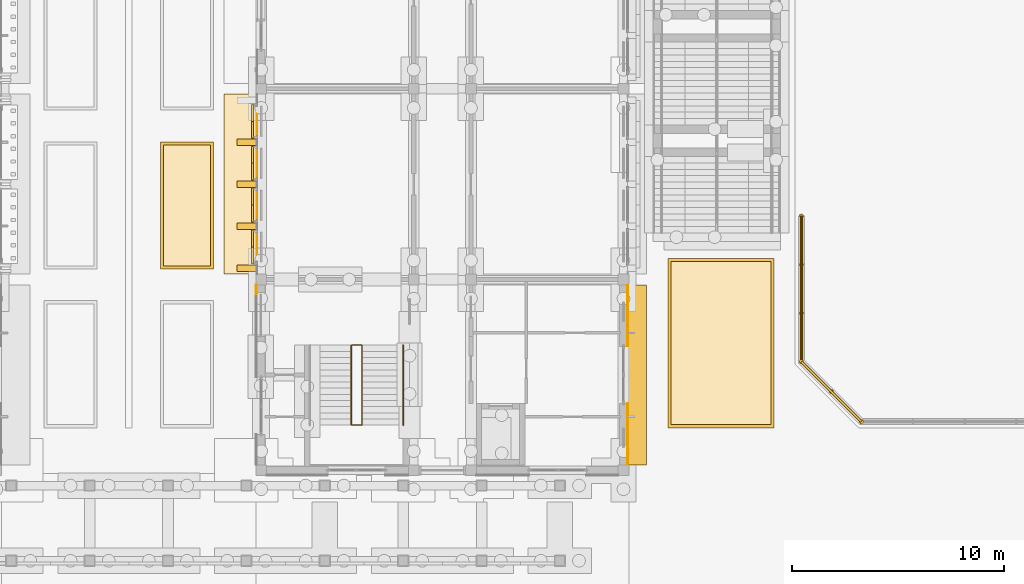
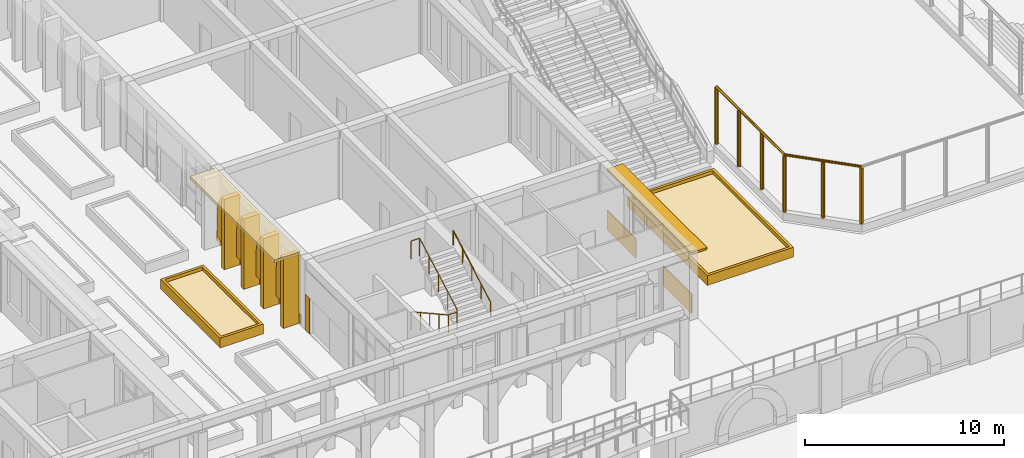
# One storey, part 127 of 161: 13 coverings, 5 shading devices, 4 railings.
"""IFC4 building model written with IfcOpenShell, lengths in metres."""

from ifc_helpers import new_model, si_unit, direction, frame, origin, origin_2d, place, context, subcontext, project, spatial, polyline, rectangle, circle, outline, extrude, material, layer, layer_set, type_object, element, save


model = new_model("IFC4")

# Units and contexts
model_context = context("Model", 3, precision=1e-05, world=origin(), true_north=direction((0.0, 1.0)))
body_context = subcontext(model_context, "Body", "Model", "MODEL_VIEW")
ifc_project = project(units=[si_unit("LENGTHUNIT", "METRE"), si_unit("AREAUNIT", "SQUARE_METRE"), si_unit("VOLUMEUNIT", "CUBIC_METRE"), si_unit("PLANEANGLEUNIT", "RADIAN"), si_unit("MASSUNIT", "GRAM", prefix="KILO")], contexts=[model_context])

# Site, building, storey
site_placement = place(None, origin())
site = spatial("IfcSite", under=ifc_project, at=site_placement, CompositionType="ELEMENT")
building_placement = place(site_placement, origin())
building = spatial("IfcBuilding", under=site, at=building_placement, Name="Elbe Cascade School", CompositionType="ELEMENT")
storey_placement = place(building_placement, origin())
storey = spatial("IfcBuildingStorey", under=building, at=storey_placement, Name="L00", CompositionType="ELEMENT", Elevation=0.0)

# Railings
ifc_material_1 = material(Name="Steel S355J2H", Category="steel")
railing_type_1 = type_object("IfcRailingType", Name="Ball-stop fence 4000", PredefinedType="USERDEFINED", material=ifc_material_1)
railing_1_placement = place(storey_placement, frame((183.300048828125, 18.0, 0.449951171875)))
element("IfcRailing", 1, at=railing_1_placement, inside=storey, type_object=railing_type_1, Name="Ball-stop fence west 2", ObjectType="BALL-STOP FENCE", PredefinedType="USERDEFINED", context=body_context, shape_type="SweptSolid", body=[
    extrude(circle(Radius=0.06982421875, at=origin_2d()), frame((0.0, 0.0, 3.47998046875), z_axis=(0.0, -1.0, 0.0), x_axis=(1.0, 0.0, 0.0)), (0.0, 0.0, 1.0), 6.875732421875),
    extrude(circle(Radius=0.10009765625, at=origin_2d()), origin(), (0.0, 0.0, 1.0), 3.41015625),
    extrude(circle(Radius=0.10009765625, at=origin_2d()), frame((0.0, -2.2919921875, 0.0)), (0.0, 0.0, 1.0), 3.41015625),
    extrude(circle(Radius=0.10009765625, at=origin_2d()), frame((0.0, -4.583740234375, 0.0)), (0.0, 0.0, 1.0), 3.41015625),
    extrude(circle(Radius=0.10009765625, at=origin_2d()), frame((0.0, -6.875732421875, 0.0)), (0.0, 0.0, 1.0), 3.41015625),
])
railing_2_placement = place(storey_placement, frame((183.300048828125, 11.124267578125, 0.449951171875)))
element("IfcRailing", 2, at=railing_2_placement, inside=storey, type_object=railing_type_1, Name="Ball-stop fence south west", ObjectType="BALL-STOP FENCE", PredefinedType="USERDEFINED", context=body_context, shape_type="SweptSolid", body=[
    extrude(circle(Radius=0.06982421875, at=origin_2d()), frame((0.0, 0.0, 3.47998046875), z_axis=(0.707106781187, -0.707106781187, 0.0), x_axis=(0.707106781187, 0.707106781187, 0.0)), (0.0, 0.0, 1.0), 3.994140625),
    extrude(circle(Radius=0.10009765625, at=origin_2d()), origin(), (0.0, 0.0, 1.0), 3.41015625),
    extrude(circle(Radius=0.10009765625, at=origin_2d()), frame((1.412109375, -1.412109375, 0.0)), (0.0, 0.0, 1.0), 3.41015625),
    extrude(circle(Radius=0.10009765625, at=origin_2d()), frame((2.82421875, -2.82421875, 0.0)), (0.0, 0.0, 1.0), 3.41015625),
])
ifc_material_2 = material(Name="Steel S355J2H, painted", Category="steel")
railing_type_2 = type_object("IfcRailingType", Name="Bar stair guard 1100", PredefinedType="GUARDRAIL", material=ifc_material_2)
railing_3_placement = place(storey_placement, frame((162.050048828125, 11.89990234375, 0.16064453125)))
element("IfcRailing", 3, at=railing_3_placement, inside=storey, type_object=railing_type_2, Name="Stair guard D0.S", PredefinedType="GUARDRAIL", context=body_context, shape_type="SweptSolid", body=[
    extrude(circle(Radius=0.02392578125, at=origin_2d()), frame((0.0, 0.0, 1.09619140625), z_axis=(0.0, -0.874659101714, 0.484738543742), x_axis=(1.0, 0.0, 0.0)), (0.0, 0.0, 1.0), 4.310302734375),
    extrude(circle(Radius=0.02392578125, at=origin_2d()), frame((0.0, -3.77001953125, 3.185546875), z_axis=(1.0, 0.0, 0.0), x_axis=(0.0, 1.0, 0.0)), (0.0, 0.0, 1.0), 0.5),
    extrude(circle(Radius=0.02392578125, at=origin_2d()), frame((0.5, -3.77001953125, 3.185546875), z_axis=(0.0, 0.0, 1.0), x_axis=(1.0, 0.0, 0.0)), (0.0, 0.0, 1.0), 0.16064453125),
    extrude(circle(Radius=0.02392578125, at=origin_2d()), frame((0.5, -3.77001953125, 3.34619140625), z_axis=(0.0, 0.874659101714, 0.484738543742), x_axis=(-1.0, 0.0, 0.0)), (0.0, 0.0, 1.0), 4.310302734375),
    extrude(circle(Radius=0.02392578125, at=origin_2d()), frame((0.5, 0.0, 5.435546875), z_axis=(-1.0, 0.0, 0.0), x_axis=(0.0, -1.0, 0.0)), (0.0, 0.0, 1.0), 0.5),
    extrude(circle(Radius=0.02099609375, at=origin_2d()), origin(), (0.0, 0.0, 1.0), 1.072021484375),
    extrude(circle(Radius=0.02099609375, at=origin_2d()), frame((0.0, -0.9423828125, 0.5224609375)), (0.0, 0.0, 1.0), 1.072021484375),
    extrude(circle(Radius=0.02099609375, at=origin_2d()), frame((0.0, -1.885009765625, 1.044677734375)), (0.0, 0.0, 1.0), 1.072021484375),
    extrude(circle(Radius=0.02099609375, at=origin_2d()), frame((0.0, -2.82763671875, 1.56689453125)), (0.0, 0.0, 1.0), 1.072021484375),
    extrude(circle(Radius=0.02099609375, at=origin_2d()), frame((0.0, -3.77001953125, 2.08935546875)), (0.0, 0.0, 1.0), 1.072021484375),
    extrude(circle(Radius=0.02099609375, at=origin_2d()), frame((0.5, -3.77001953125, 2.08935546875)), (0.0, 0.0, 1.0), 1.072021484375),
    extrude(circle(Radius=0.02099609375, at=origin_2d()), frame((0.5, -3.77001953125, 2.25)), (0.0, 0.0, 1.0), 1.072021484375),
    extrude(circle(Radius=0.02099609375, at=origin_2d()), frame((0.5, -2.82763671875, 2.7724609375)), (0.0, 0.0, 1.0), 1.072021484375),
    extrude(circle(Radius=0.02099609375, at=origin_2d()), frame((0.5, -1.885009765625, 3.294677734375)), (0.0, 0.0, 1.0), 1.072021484375),
    extrude(circle(Radius=0.02099609375, at=origin_2d()), frame((0.5, -0.9423828125, 3.81689453125)), (0.0, 0.0, 1.0), 1.072021484375),
    extrude(circle(Radius=0.02099609375, at=origin_2d()), frame((0.5, 0.0, 4.33935546875)), (0.0, 0.0, 1.0), 1.072021484375),
    extrude(circle(Radius=0.02099609375, at=origin_2d()), frame((0.0, 0.0, 4.33935546875)), (0.0, 0.0, 1.0), 1.072021484375),
])
ifc_material_3 = material(Name="Steel S355J2H, painted", Category="steel")
railing_type_3 = type_object("IfcRailingType", Name="Bar stair handrail 900", PredefinedType="HANDRAIL", material=ifc_material_3)
railing_4_placement = place(storey_placement, frame((164.5, 8.1298828125, 2.41064453125)))
element("IfcRailing", 4, at=railing_4_placement, inside=storey, type_object=railing_type_3, Name="Stair handrail D0.S", PredefinedType="HANDRAIL", context=body_context, shape_type="SweptSolid", body=[
    extrude(circle(Radius=0.02392578125, at=origin_2d()), frame((0.0, 0.0, 0.8759765625), z_axis=(0.0, 0.874659101714, 0.484738543742), x_axis=(-1.0, 0.0, 0.0)), (0.0, 0.0, 1.0), 4.310302734375),
    extrude(circle(Radius=0.02099609375, at=origin_2d()), origin(), (0.0, 0.0, 1.0), 0.851806640625),
    extrude(circle(Radius=0.02099609375, at=origin_2d()), frame((0.0, 0.9423828125, 0.5224609375)), (0.0, 0.0, 1.0), 0.851806640625),
    extrude(circle(Radius=0.02099609375, at=origin_2d()), frame((0.0, 1.885009765625, 1.044677734375)), (0.0, 0.0, 1.0), 0.851806640625),
    extrude(circle(Radius=0.02099609375, at=origin_2d()), frame((0.0, 2.82763671875, 1.56689453125)), (0.0, 0.0, 1.0), 0.851806640625),
    extrude(circle(Radius=0.02099609375, at=origin_2d()), frame((0.0, 3.77001953125, 2.08935546875)), (0.0, 0.0, 1.0), 0.851806640625),
])

# Shading devices
ifc_material_4 = material(Name="Precast concrete C30/37", Category="concrete")
ifc_layer_1 = layer(ifc_material_4, 0.1201171875)
ifc_layer_set_1 = layer_set([ifc_layer_1], Name="Precast concrete C30/37")
shading_device_type_1 = type_object("IfcShadingDeviceType", Name="Bars envelope Chhajja eave, precast concrete, 900 x 120", PredefinedType="USERDEFINED", material=ifc_layer_set_1)
shading_device_1_placement = place(storey_placement, frame((175.530029296875, 10.5, 3.6298828125), z_axis=(0.0, 0.0, 1.0), x_axis=(0.0, 1.0, 0.0)))
element("IfcShadingDevice", 5, at=shading_device_1_placement, inside=storey, type_object=shading_device_type_1, Name="Chhajja eave SD2 D.L00.e1", ObjectType="CHHAJJA", PredefinedType="USERDEFINED", context=body_context, shape_type="SweptSolid", body=[
    extrude(rectangle(XDim=8.5, YDim=0.89990234375, at=origin_2d()), origin(), (0.0, 0.0, 1.0), 0.1201171875),
])
ifc_material_5 = material(Name="Precast concrete C40/50", Category="concrete")
ifc_layer_2 = layer(ifc_material_5, 0.10009765625)
ifc_layer_set_2 = layer_set([ifc_layer_2], Name="Precast concrete C40/50")
shading_device_type_2 = type_object("IfcShadingDeviceType", Name="Bars envelope Jali screen 1600 x 2840, pointed arch rise 1200, pierced precast concrete", PredefinedType="USERDEFINED", material=ifc_layer_set_2)
shading_device_2_placement = place(storey_placement, frame((157.340087890625, 15.72998046875, 2.239990234375), z_axis=(-1.0, 0.0, 0.0), x_axis=(0.0, 0.196300278283, 0.98054382908)))
element("IfcShadingDevice", 6, at=shading_device_2_placement, inside=storey, type_object=shading_device_type_2, Name="Jali screen SD3 D.L00.w2.1", ObjectType="JALI", PredefinedType="USERDEFINED", context=body_context, shape_type="SweptSolid", body=[
    extrude(outline(polyline([(0.0, 0.0), (0.509921112317134, 0.0), (0.7186409460062186, 0.06005009918221829), (0.8735458233318658, 0.1311226852889124), (0.9982395622926888, 0.20799441476340969), (1.102872417131342, 0.2891312241218946), (1.1919448840573539, 0.37338315020117196), (1.268281725197354, 0.45993570394643946), (1.3336545243794973, 0.5489321924158467), (1.3075321958793382, 0.6559965916457164), (1.270445825421322, 0.7655049255997259), (1.220671754049922, 0.877553277802997), (1.155289369893253, 0.9924773561437888), (1.069846101614414, 1.1116665143685687), (0.9541916949707512, 1.2366548159611515), (0.7847223319636507, 1.37266560447821), (0.31409961520112845, 1.5689658827607584), (-1.2938869326328684, 1.8908772522001815), (-1.6079865478339967, 0.32191136943942317), (0.0, 0.0)])), origin(), (0.0, 0.0, -1.0), 0.10009765625),
])
for number, where, z_axis, x_axis, name in (
    (7, (157.340087890625, 17.7099609375, 2.239990234375), (-1.0, 0.0, 0.0), (0.0, 0.196300278283, 0.98054382908), "Jali screen SD3 D.L00.w2.2"),
    (8, (157.340087890625, 19.68994140625, 2.239990234375), (-1.0, 0.0, 0.0), (0.0, 0.196300278283, 0.98054382908), "Jali screen SD3 D.L00.w2.3"),
):
    element("IfcShadingDevice", number, at=place(storey_placement, frame(where, z_axis=z_axis, x_axis=x_axis)), inside=storey, type_object=shading_device_type_2, Name=name, ObjectType="JALI", PredefinedType="USERDEFINED", context=body_context, shape_type="SweptSolid", body=[
        extrude(outline(polyline([(0.0, 0.0), (0.509921112317134, 0.0), (0.7186409460062186, 0.06005009918221829), (0.8735458233318658, 0.1311226852889124), (0.9982874871653163, 0.20823380534668107), (1.102872417131342, 0.2891312241218946), (1.1919448840573539, 0.37338315020117196), (1.268281725197354, 0.45993570394643946), (1.3336545243794973, 0.5489321924158467), (1.3075801207519657, 0.6562359822289878), (1.270445825421322, 0.7655049255997259), (1.220671754049922, 0.877553277802997), (1.155289369893253, 0.9924773561437888), (1.069846101614414, 1.1116665143685687), (0.9542396198433787, 1.2368942065444228), (0.7847223319636507, 1.37266560447821), (0.31409961520112845, 1.5689658827607584), (-1.2938869326328684, 1.8908772522001815), (-1.6079865478339967, 0.32191136943942317), (0.0, 0.0)])), origin(), (0.0, 0.0, -1.0), 0.10009765625),
    ])
shading_device_3_placement = place(storey_placement, frame((157.340087890625, 21.669921875, 2.239990234375), z_axis=(-1.0, 0.0, 0.0), x_axis=(0.0, 0.196300278283, 0.98054382908)))
element("IfcShadingDevice", 9, at=shading_device_3_placement, inside=storey, type_object=shading_device_type_2, Name="Jali screen SD3 D.L00.w2.4", ObjectType="JALI", PredefinedType="USERDEFINED", context=body_context, shape_type="SweptSolid", body=[
    extrude(outline(polyline([(0.0, 0.0), (0.509921112317134, 0.0), (0.7186888708788461, 0.0602894897654897), (0.8735458233318658, 0.1311226852889124), (0.9982874871653163, 0.20823380534668107), (1.102872417131342, 0.2891312241218946), (1.1919448840573539, 0.37338315020117196), (1.2683296500699814, 0.46017509452971084), (1.3336545243794973, 0.5489321924158467), (1.3075801207519657, 0.6562359822289878), (1.270445825421322, 0.7655049255997259), (1.220671754049922, 0.877553277802997), (1.1553372947658807, 0.9927167467270602), (1.069846101614414, 1.1116665143685687), (0.9542396198433787, 1.2368942065444228), (0.7847223319636507, 1.37266560447821), (0.31409961520112845, 1.5689658827607584), (-1.2938869326328684, 1.8908772522001815), (-1.6079865478339967, 0.32191136943942317), (0.0, 0.0)])), origin(), (0.0, 0.0, -1.0), 0.10009765625),
])

# Coverings
ifc_material_6 = material(Name="Sandstone - red", Category="masonry")
ifc_layer_3 = layer(ifc_material_6, 0.0400390625)
ifc_layer_set_3 = layer_set([ifc_layer_3], Name="Sandstone - red")
covering_type_1 = type_object("IfcCoveringType", Name="Bars envelope Sandstone cladding, red, 40 mm", PredefinedType="CLADDING", material=ifc_layer_set_3)
covering_1_placement = place(storey_placement, frame((157.56005859375, 14.52490234375, 0.0), z_axis=(0.0, 0.0, 1.0), x_axis=(0.0, 1.0, 0.0)))
element("IfcCovering", 10, at=covering_1_placement, inside=storey, type_object=covering_type_1, Name="Sandstone cladding CV48 D.L00.w.1b.2", PredefinedType="CLADDING", context=body_context, shape_type="SweptSolid", body=[
    extrude(rectangle(XDim=0.449951171875, YDim=0.0400390625, at=origin_2d()), origin(), (0.0, 0.0, 1.0), 2.199951171875),
])
covering_2_placement = place(storey_placement, frame((157.60009765625, 19.5, 0.0), z_axis=(0.0, 0.0, 1.0), x_axis=(0.0, 1.0, 0.0)))
element("IfcCovering", 11, at=covering_2_placement, inside=storey, type_object=covering_type_1, Name="Sandstone cladding CV48 D.L00.w.2.1", PredefinedType="CLADDING", context=body_context, shape_type="SweptSolid", body=[
    extrude(rectangle(XDim=8.5, YDim=0.0400390625, at=origin_2d()), origin(), (0.0, 0.0, 1.0), 0.60009765625),
])
for number, where, z_axis, x_axis, name in (
    (12, (175.10009765625, 7.699951171875, 0.0), (0.0, 0.0, 1.0), (0.0, 1.0, 0.0), "Sandstone cladding CV48 D.L00.e.1a.1"),
    (13, (175.10009765625, 13.300048828125, 0.0), (0.0, 0.0, 1.0), (0.0, 1.0, 0.0), "Sandstone cladding CV48 D.L00.e.1b.1"),
):
    element("IfcCovering", number, at=place(storey_placement, frame(where, z_axis=z_axis, x_axis=x_axis)), inside=storey, type_object=covering_type_1, Name=name, PredefinedType="CLADDING", context=body_context, shape_type="SweptSolid", body=[
        extrude(rectangle(XDim=2.89990234375, YDim=0.0400390625, at=origin_2d()), origin(), (0.0, 0.0, 1.0), 1.199951171875),
    ])
ifc_material_7 = material(Name="Sandstone - red", Category="masonry")
covering_type_2 = type_object("IfcCoveringType", Name="Bars envelope Sandstone gallery canopy, 1500 deep", PredefinedType="CLADDING", material=ifc_material_7)
covering_3_placement = place(storey_placement, frame((156.800048828125, 19.5, 4.31982421875), z_axis=(0.0, 0.0, 1.0), x_axis=(0.0, 1.0, 0.0)))
element("IfcCovering", 14, at=covering_3_placement, inside=storey, type_object=covering_type_2, Name="Gallery canopy CV73 D.w1", PredefinedType="CLADDING", context=body_context, shape_type="SweptSolid", body=[
    extrude(rectangle(XDim=8.5, YDim=1.5, at=origin_2d()), origin(), (0.0, 0.0, 1.0), 0.179931640625),
])
ifc_material_8 = material(Name="Sandstone - red", Category="masonry")
covering_type_3 = type_object("IfcCoveringType", Name="Bars envelope Sandstone gallery fin, 300 wide, 900 deep", PredefinedType="CLADDING", material=ifc_material_8)
for number, where, z_axis, x_axis, name in (
    (15, (157.10009765625, 15.5400390625, 0.0), (0.0, 0.0, 1.0), (0.0, 1.0, 0.0), "Gallery fin CV74 D.w1.1"),
    (16, (157.10009765625, 17.52001953125, 0.0), (0.0, 0.0, 1.0), (0.0, 1.0, 0.0), "Gallery fin CV74 D.w1.2"),
    (17, (157.10009765625, 19.5, 0.0), (0.0, 0.0, 1.0), (0.0, 1.0, 0.0), "Gallery fin CV74 D.w1.3"),
    (18, (157.10009765625, 21.47998046875, 0.0), (0.0, 0.0, 1.0), (0.0, 1.0, 0.0), "Gallery fin CV74 D.w1.4"),
):
    element("IfcCovering", number, at=place(storey_placement, frame(where, z_axis=z_axis, x_axis=x_axis)), inside=storey, type_object=covering_type_3, Name=name, PredefinedType="CLADDING", context=body_context, shape_type="SweptSolid", body=[
        extrude(rectangle(XDim=0.300048828125, YDim=0.89990234375, at=origin_2d()), origin(), (0.0, 0.0, 1.0), 4.320068359375),
    ])
ifc_material_9 = material(Name="Planting - soil and shrubs", Category="soil")
ifc_layer_4 = layer(ifc_material_9, 0.39990234375)
ifc_layer_set_4 = layer_set([ifc_layer_4], Name="Planting - soil and shrubs")
covering_type_4 = type_object("IfcCoveringType", Name="Site planting bed 400", PredefinedType="USERDEFINED", material=ifc_layer_set_4)
covering_4_placement = place(storey_placement, origin())
element("IfcCovering", 19, at=covering_4_placement, inside=storey, type_object=covering_type_4, Name="Court C-D planting bed east 2", ObjectType="PLANTING BED", PredefinedType="USERDEFINED", context=body_context, shape_type="SweptSolid", body=[
    extrude(outline(polyline([(153.199951171875, 15.64990234375), (155.39990234375, 15.64990234375), (155.39990234375, 21.35009765625), (153.199951171875, 21.35009765625), (153.199951171875, 15.64990234375)])), origin(), (0.0, 0.0, 1.0), 0.39990234375),
])
covering_5_placement = place(storey_placement, origin())
element("IfcCovering", 20, at=covering_5_placement, inside=storey, type_object=covering_type_4, Name="Deck planting bed east.1", ObjectType="PLANTING BED", PredefinedType="USERDEFINED", context=body_context, shape_type="SweptSolid", body=[
    extrude(outline(polyline([(177.14990234375, 8.14990234375), (181.85009765625, 8.14990234375), (181.85009765625, 15.85009765625), (177.14990234375, 15.85009765625), (177.14990234375, 8.14990234375)])), origin(), (0.0, 0.0, 1.0), 0.39990234375),
])
ifc_material_10 = material(Name="Concrete C30/37 precast kerb", Category="concrete")
ifc_layer_5 = layer(ifc_material_10, 0.14990234375)
ifc_layer_set_5 = layer_set([ifc_layer_5], Name="Concrete C30/37 precast kerb")
covering_type_5 = type_object("IfcCoveringType", Name="Site planting bed kerb 150x600", PredefinedType="CLADDING", material=ifc_layer_set_5)
covering_6_placement = place(storey_placement, origin())
element("IfcCovering", 21, at=covering_6_placement, inside=storey, type_object=covering_type_5, Name="Court C-D planting bed kerb east 2", PredefinedType="CLADDING", context=body_context, shape_type="SweptSolid", body=[
    extrude(outline(polyline([(153.050048828125, 15.5), (155.550048828125, 15.5), (155.550048828125, 21.5), (153.050048828125, 21.5), (153.050048828125, 15.5)]), holes=[polyline([(153.199951171875, 15.64990234375), (155.39990234375, 15.64990234375), (155.39990234375, 21.35009765625), (153.199951171875, 21.35009765625), (153.199951171875, 15.64990234375)])]), origin(), (0.0, 0.0, 1.0), 0.60009765625),
])
covering_7_placement = place(storey_placement, origin())
element("IfcCovering", 22, at=covering_7_placement, inside=storey, type_object=covering_type_5, Name="Deck planting bed kerb east.1", PredefinedType="CLADDING", context=body_context, shape_type="SweptSolid", body=[
    extrude(outline(polyline([(177.0, 8.0), (182.0, 8.0), (182.0, 16.0), (177.0, 16.0), (177.0, 8.0)]), holes=[polyline([(177.14990234375, 8.14990234375), (181.85009765625, 8.14990234375), (181.85009765625, 15.85009765625), (177.14990234375, 15.85009765625), (177.14990234375, 8.14990234375)])]), origin(), (0.0, 0.0, 1.0), 0.60009765625),
])

save(model, "model.ifc")
